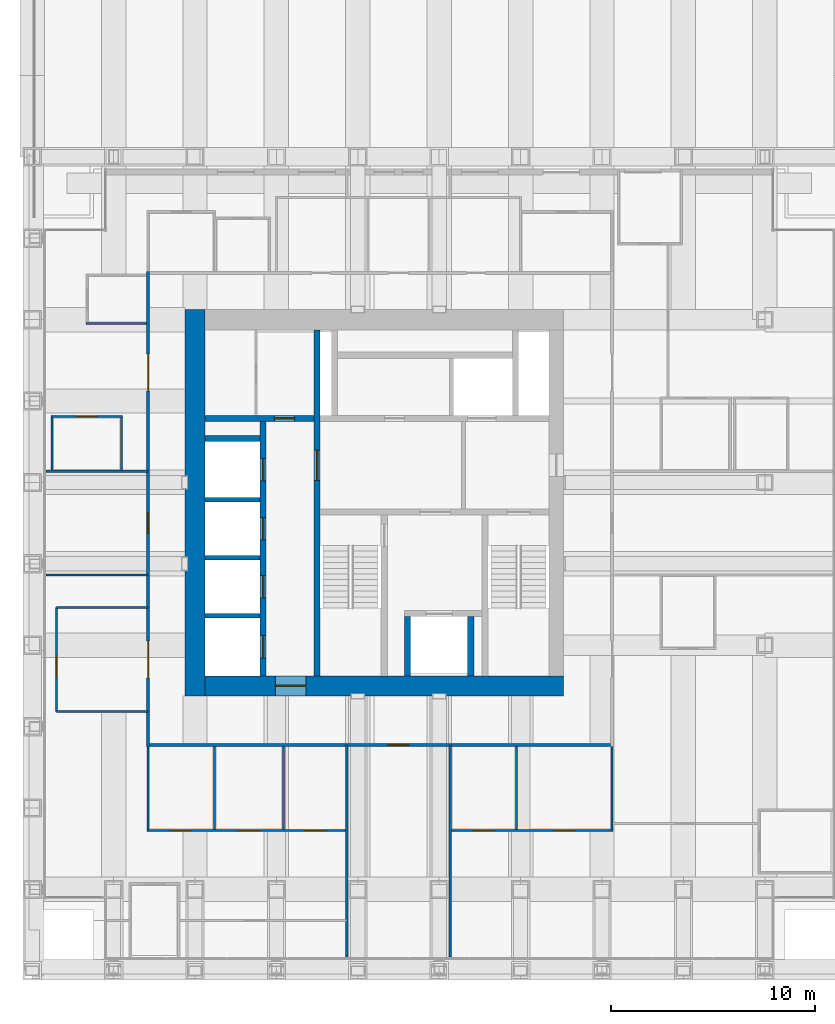
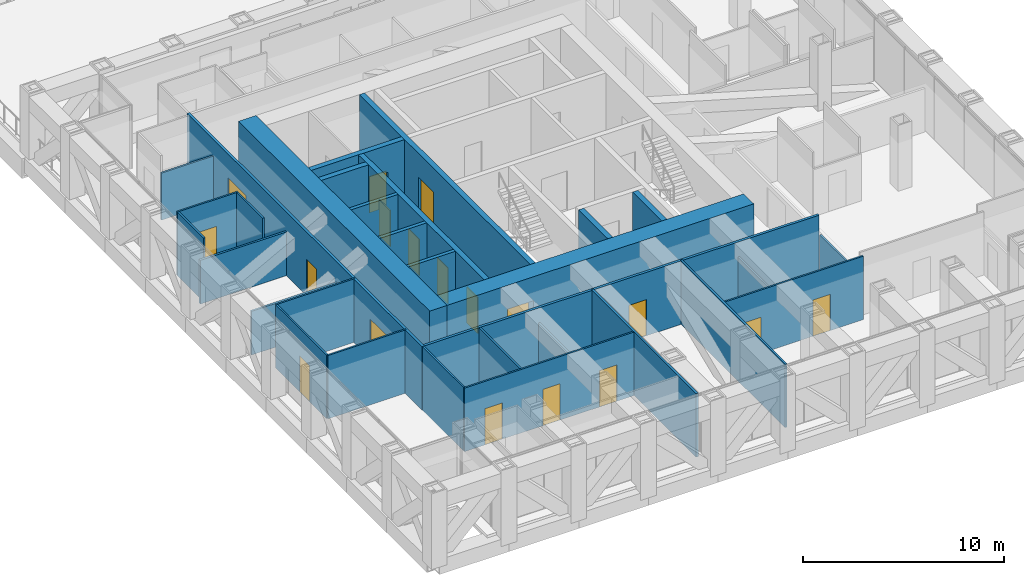
# One storey, part 11 of 17: 31 walls, 18 doors, 18 openings.
"""IFC4 building model written with IfcOpenShell, lengths in metres."""

from ifc_helpers import new_model, si_unit, direction, frame, frame_2d, origin, place, context, subcontext, project, spatial, rectangle, extrude, material, layer, layer_set, type_object, element, fill, save


model = new_model("IFC4")

# Units and contexts
model_context = context("Model", 3, precision=1e-05, world=origin(), true_north=direction((0.0, 1.0)))
body_context = subcontext(model_context, "Body", "Model", "MODEL_VIEW")
ifc_project = project(units=[si_unit("LENGTHUNIT", "METRE"), si_unit("AREAUNIT", "SQUARE_METRE"), si_unit("VOLUMEUNIT", "CUBIC_METRE"), si_unit("PLANEANGLEUNIT", "RADIAN"), si_unit("MASSUNIT", "GRAM", prefix="KILO")], contexts=[model_context])

# Site, building, storey
site_placement = place(None, origin())
site = spatial("IfcSite", under=ifc_project, at=site_placement, CompositionType="ELEMENT")
building_placement = place(site_placement, origin())
building = spatial("IfcBuilding", under=site, at=building_placement, Name="Rimbunsela Tower", CompositionType="ELEMENT")
storey_placement = place(building_placement, frame((0.0, 0.0, 238.199951171875)))
storey = spatial("IfcBuildingStorey", under=building, at=storey_placement, Name="L57", CompositionType="ELEMENT", Elevation=238.199951171875)

# Wall, opening, door
ifc_material_1 = material(Name="Concrete fc' 80 MPa", Category="concrete")
ifc_layer_1 = layer(ifc_material_1, 0.300048828125)
ifc_layer_set_1 = layer_set([ifc_layer_1], Name="Core internal wall 300")
wall_type_1 = type_object("IfcWallType", Name="Core internal wall 300", PredefinedType="SHEAR", material=ifc_layer_set_1)
wall_1_placement = place(storey_placement, frame((24.0, 18.5, -0.14990234375), z_axis=(0.0, 0.0, 1.0), x_axis=(0.0, 1.0, 0.0)))
wall_1 = element("IfcWall", 1, at=wall_1_placement, inside=storey, type_object=wall_type_1, Name="Core wall at stair A", PredefinedType="SHEAR", context=body_context, shape_type="SweptSolid", body=[
    extrude(rectangle(XDim=17.0, YDim=0.300048828125, at=frame_2d((8.5, 0.0))), origin(), (0.0, 0.0, 1.0), 4.0),
])
opening_1_placement = place(wall_1_placement, frame((9.60009765625, 0.0, 0.14990234375)))
opening_1 = element("IfcOpeningElement", 2, at=opening_1_placement, cuts=wall_1, Name="Opening D03", PredefinedType="OPENING", context=body_context, shape_type="SweptSolid", body=[
    extrude(rectangle(XDim=1.5, YDim=2.39990234375, at=frame_2d((0.75, 1.199951171875))), frame((0.0, 0.159912109375, 0.0), z_axis=(0.0, -1.0, 0.0), x_axis=(1.0, 0.0, 0.0)), (0.0, 0.0, 1.0), 0.320068359375),
])
ifc_material_2 = material(Name="Steel door, fire rated", Category="steel")
door_type_1 = type_object("IfcDoorType", Name="Core lobby door 1500", OperationType="DOUBLE_DOOR_DOUBLE_SWING", PredefinedType="DOOR", material=ifc_material_2)
door_1_placement = place(opening_1_placement, origin())
door_1 = element("IfcDoor", 3, at=door_1_placement, inside=storey, type_object=door_type_1, Name="West lobby door", OperationType="DOUBLE_DOOR_DOUBLE_SWING", OverallHeight=2.39990234375, OverallWidth=1.5, PredefinedType="DOOR", context=body_context, shape_type="SweptSolid", body=[
    extrude(rectangle(XDim=1.5, YDim=2.39990234375, at=frame_2d((0.75, 1.199951171875))), frame((0.0, 0.02490234375, 0.0), z_axis=(0.0, -1.0, 0.0), x_axis=(1.0, 0.0, 0.0)), (0.0, 0.0, 1.0), 0.050048828125),
])
fill(opening_1, door_1)

# Walls
for number, where, z_axis, x_axis, name in (
    (4, (28.449951171875, 18.5, -0.14990234375), (0.0, 0.0, 1.0), (0.0, 1.0, 0.0), "Firefighting lift shaft west"),
    (5, (31.550048828125, 18.5, -0.14990234375), (0.0, 0.0, 1.0), (0.0, 1.0, 0.0), "Firefighting lift shaft east"),
):
    element("IfcWall", number, at=place(storey_placement, frame(where, z_axis=z_axis, x_axis=x_axis)), inside=storey, type_object=wall_type_1, Name=name, PredefinedType="SHEAR", context=body_context, shape_type="SweptSolid", body=[
        extrude(rectangle(XDim=2.89990234375, YDim=0.300048828125, at=frame_2d((1.449951171875, 0.0))), origin(), (0.0, 0.0, 1.0), 4.0),
    ])

# Wall, openings, doors
wall_2_placement = place(storey_placement, frame((21.35009765625, 18.5, -0.14990234375), z_axis=(0.0, 0.0, 1.0), x_axis=(0.0, 1.0, 0.0)))
wall_2 = element("IfcWall", 6, at=wall_2_placement, inside=storey, type_object=wall_type_1, Name="Lift shaft front west", PredefinedType="SHEAR", context=body_context, shape_type="SweptSolid", body=[
    extrude(rectangle(XDim=12.5, YDim=0.300048828125, at=frame_2d((6.25, 0.0))), origin(), (0.0, 0.0, 1.0), 4.0),
])
opening_2_placement = place(wall_2_placement, frame((0.875, 0.0, 0.14990234375)))
opening_2 = element("IfcOpeningElement", 7, at=opening_2_placement, cuts=wall_2, Name="Opening LD1", PredefinedType="OPENING", context=body_context, shape_type="SweptSolid", body=[
    extrude(rectangle(XDim=1.10009765625, YDim=2.199951171875, at=frame_2d((0.550048828125, 1.10009765625))), frame((0.0, 0.159912109375, 0.0), z_axis=(0.0, -1.0, 0.0), x_axis=(1.0, 0.0, 0.0)), (0.0, 0.0, 1.0), 0.320068359375),
])
opening_3_placement = place(wall_2_placement, frame((3.824951171875, 0.0, 0.14990234375)))
opening_3 = element("IfcOpeningElement", 8, at=opening_3_placement, cuts=wall_2, Name="Opening LD1", PredefinedType="OPENING", context=body_context, shape_type="SweptSolid", body=[
    extrude(rectangle(XDim=1.10009765625, YDim=2.199951171875, at=frame_2d((0.550048828125, 1.10009765625))), frame((0.0, 0.159912109375, 0.0), z_axis=(0.0, -1.0, 0.0), x_axis=(1.0, 0.0, 0.0)), (0.0, 0.0, 1.0), 0.320068359375),
])
opening_4_placement = place(wall_2_placement, frame((6.675048828125, 0.0, 0.14990234375)))
opening_4 = element("IfcOpeningElement", 9, at=opening_4_placement, cuts=wall_2, Name="Opening LD1", PredefinedType="OPENING", context=body_context, shape_type="SweptSolid", body=[
    extrude(rectangle(XDim=1.10009765625, YDim=2.199951171875, at=frame_2d((0.550048828125, 1.10009765625))), frame((0.0, 0.159912109375, 0.0), z_axis=(0.0, -1.0, 0.0), x_axis=(1.0, 0.0, 0.0)), (0.0, 0.0, 1.0), 0.320068359375),
])
opening_5_placement = place(wall_2_placement, frame((9.574951171875, 0.0, 0.14990234375)))
opening_5 = element("IfcOpeningElement", 10, at=opening_5_placement, cuts=wall_2, Name="Opening LD1", PredefinedType="OPENING", context=body_context, shape_type="SweptSolid", body=[
    extrude(rectangle(XDim=1.10009765625, YDim=2.199951171875, at=frame_2d((0.550048828125, 1.10009765625))), frame((0.0, 0.159912109375, 0.0), z_axis=(0.0, -1.0, 0.0), x_axis=(1.0, 0.0, 0.0)), (0.0, 0.0, 1.0), 0.320068359375),
])
ifc_material_3 = material(Name="Steel door, fire rated", Category="steel")
door_type_2 = type_object("IfcDoorType", Name="Lift landing door 1100", OperationType="DOUBLE_DOOR_SLIDING", PredefinedType="DOOR", material=ifc_material_3)
door_2_placement = place(opening_2_placement, origin())
door_2 = element("IfcDoor", 11, at=door_2_placement, inside=storey, type_object=door_type_2, Name="Lift landing door TL1", OperationType="DOUBLE_DOOR_SLIDING", OverallHeight=2.199951171875, OverallWidth=1.10009765625, PredefinedType="DOOR", context=body_context, shape_type="SweptSolid", body=[
    extrude(rectangle(XDim=1.10009765625, YDim=2.199951171875, at=frame_2d((0.550048828125, 1.10009765625))), frame((0.0, 0.02490234375, 0.0), z_axis=(0.0, -1.0, 0.0), x_axis=(1.0, 0.0, 0.0)), (0.0, 0.0, 1.0), 0.050048828125),
])
fill(opening_2, door_2)
door_3_placement = place(opening_3_placement, origin())
door_3 = element("IfcDoor", 12, at=door_3_placement, inside=storey, type_object=door_type_2, Name="Lift landing door TL2", OperationType="DOUBLE_DOOR_SLIDING", OverallHeight=2.199951171875, OverallWidth=1.10009765625, PredefinedType="DOOR", context=body_context, shape_type="SweptSolid", body=[
    extrude(rectangle(XDim=1.10009765625, YDim=2.199951171875, at=frame_2d((0.550048828125, 1.10009765625))), frame((0.0, 0.02490234375, 0.0), z_axis=(0.0, -1.0, 0.0), x_axis=(1.0, 0.0, 0.0)), (0.0, 0.0, 1.0), 0.050048828125),
])
fill(opening_3, door_3)
door_4_placement = place(opening_4_placement, origin())
door_4 = element("IfcDoor", 13, at=door_4_placement, inside=storey, type_object=door_type_2, Name="Lift landing door TL3", OperationType="DOUBLE_DOOR_SLIDING", OverallHeight=2.199951171875, OverallWidth=1.10009765625, PredefinedType="DOOR", context=body_context, shape_type="SweptSolid", body=[
    extrude(rectangle(XDim=1.10009765625, YDim=2.199951171875, at=frame_2d((0.550048828125, 1.10009765625))), frame((0.0, 0.02490234375, 0.0), z_axis=(0.0, -1.0, 0.0), x_axis=(1.0, 0.0, 0.0)), (0.0, 0.0, 1.0), 0.050048828125),
])
fill(opening_4, door_4)
door_5_placement = place(opening_5_placement, origin())
door_5 = element("IfcDoor", 14, at=door_5_placement, inside=storey, type_object=door_type_2, Name="Lift landing door TL4", OperationType="DOUBLE_DOOR_SLIDING", OverallHeight=2.199951171875, OverallWidth=1.10009765625, PredefinedType="DOOR", context=body_context, shape_type="SweptSolid", body=[
    extrude(rectangle(XDim=1.10009765625, YDim=2.199951171875, at=frame_2d((0.550048828125, 1.10009765625))), frame((0.0, 0.02490234375, 0.0), z_axis=(0.0, -1.0, 0.0), x_axis=(1.0, 0.0, 0.0)), (0.0, 0.0, 1.0), 0.050048828125),
])
fill(opening_5, door_5)

# Wall, opening, door
wall_3_placement = place(storey_placement, frame((18.5, 31.14990234375, -0.14990234375), z_axis=(0.0, 0.0, 1.0), x_axis=(1.0, 0.0, 0.0)))
wall_3 = element("IfcWall", 15, at=wall_3_placement, inside=storey, type_object=wall_type_1, Name="Store wall", PredefinedType="SHEAR", context=body_context, shape_type="SweptSolid", body=[
    extrude(rectangle(XDim=5.35009765625, YDim=0.300048828125, at=frame_2d((2.675048828125, 0.0))), origin(), (0.0, 0.0, 1.0), 4.0),
])
opening_6_placement = place(wall_3_placement, frame((3.39990234375, 0.0, 0.14990234375)))
opening_6 = element("IfcOpeningElement", 16, at=opening_6_placement, cuts=wall_3, Name="Opening D19", PredefinedType="OPENING", context=body_context, shape_type="SweptSolid", body=[
    extrude(rectangle(XDim=1.0, YDim=2.199951171875, at=frame_2d((0.5, 1.10009765625))), frame((0.0, 0.159912109375, 0.0), z_axis=(0.0, -1.0, 0.0), x_axis=(1.0, 0.0, 0.0)), (0.0, 0.0, 1.0), 0.320068359375),
])
ifc_material_4 = material(Name="Steel door, fire rated", Category="steel")
door_type_3 = type_object("IfcDoorType", Name="Service door 1000 fire rated", OperationType="SINGLE_SWING_LEFT", PredefinedType="DOOR", material=ifc_material_4)
door_6_placement = place(opening_6_placement, origin())
door_6 = element("IfcDoor", 17, at=door_6_placement, inside=storey, type_object=door_type_3, Name="IT room door", OperationType="SINGLE_SWING_LEFT", OverallHeight=2.199951171875, OverallWidth=1.0, PredefinedType="DOOR", context=body_context, shape_type="SweptSolid", body=[
    extrude(rectangle(XDim=1.0, YDim=2.199951171875, at=frame_2d((0.5, 1.10009765625))), frame((0.0, 0.02490234375, 0.0), z_axis=(0.0, -1.0, 0.0), x_axis=(1.0, 0.0, 0.0)), (0.0, 0.0, 1.0), 0.050048828125),
])
fill(opening_6, door_6)

# Walls
wall_4_placement = place(storey_placement, frame((18.5, 30.14990234375, -0.14990234375), z_axis=(0.0, 0.0, 1.0), x_axis=(1.0, 0.0, 0.0)))
element("IfcWall", 18, at=wall_4_placement, inside=storey, type_object=wall_type_1, Name="Lift shaft rear west", PredefinedType="SHEAR", context=body_context, shape_type="SweptSolid", body=[
    extrude(rectangle(XDim=2.699951171875, YDim=0.300048828125, at=frame_2d((1.35009765625, 0.0))), origin(), (0.0, 0.0, 1.0), 4.0),
])
ifc_material_5 = material(Name="Concrete fc' 80 MPa", Category="concrete")
ifc_layer_2 = layer(ifc_material_5, 1.0)
ifc_layer_set_2 = layer_set([ifc_layer_2], Name="Core wall 1000")
wall_type_2 = type_object("IfcWallType", Name="Core wall 1000", PredefinedType="SHEAR", material=ifc_layer_set_2)
wall_5_placement = place(storey_placement, frame((18.0, 17.5, -0.14990234375), z_axis=(0.0, 0.0, 1.0), x_axis=(0.0, 1.0, 0.0)))
element("IfcWall", 19, at=wall_5_placement, inside=storey, type_object=wall_type_2, Name="Core wall west", PredefinedType="SHEAR", context=body_context, shape_type="SweptSolid", body=[
    extrude(rectangle(XDim=19.0, YDim=1.0, at=frame_2d((9.5, 0.0))), origin(), (0.0, 0.0, 1.0), 4.0),
])

# Wall, opening, door
wall_6_placement = place(storey_placement, frame((18.5, 18.0, -0.14990234375), z_axis=(0.0, 0.0, 1.0), x_axis=(1.0, 0.0, 0.0)))
wall_6 = element("IfcWall", 20, at=wall_6_placement, inside=storey, type_object=wall_type_2, Name="Core wall south", PredefinedType="SHEAR", context=body_context, shape_type="SweptSolid", body=[
    extrude(rectangle(XDim=17.60009765625, YDim=1.0, at=frame_2d((8.800048828125, 0.0))), origin(), (0.0, 0.0, 1.0), 4.0),
])
opening_7_placement = place(wall_6_placement, frame((3.449951171875, 0.0, 0.14990234375)))
opening_7 = element("IfcOpeningElement", 21, at=opening_7_placement, cuts=wall_6, Name="Opening D03", PredefinedType="OPENING", context=body_context, shape_type="SweptSolid", body=[
    extrude(rectangle(XDim=1.5, YDim=2.39990234375, at=frame_2d((0.75, 1.199951171875))), frame((0.0, 0.510009765625, 0.0), z_axis=(0.0, -1.0, 0.0), x_axis=(1.0, 0.0, 0.0)), (0.0, 0.0, 1.0), 1.02001953125),
])
door_7_placement = place(opening_7_placement, origin())
door_7 = element("IfcDoor", 22, at=door_7_placement, inside=storey, type_object=door_type_1, Name="Core door south", OperationType="DOUBLE_DOOR_DOUBLE_SWING", OverallHeight=2.39990234375, OverallWidth=1.5, PredefinedType="DOOR", context=body_context, shape_type="SweptSolid", body=[
    extrude(rectangle(XDim=1.5, YDim=2.39990234375, at=frame_2d((0.75, 1.199951171875))), frame((0.0, 0.02490234375, 0.0), z_axis=(0.0, -1.0, 0.0), x_axis=(1.0, 0.0, 0.0)), (0.0, 0.0, 1.0), 0.050048828125),
])
fill(opening_7, door_7)

# Walls
ifc_material_6 = material(Name="Concrete blockwork", Category="masonry")
ifc_layer_3 = layer(ifc_material_6, 0.199951171875)
ifc_layer_set_3 = layer_set([ifc_layer_3], Name="Lift shaft wall 200")
wall_type_3 = type_object("IfcWallType", Name="Lift shaft wall 200", PredefinedType="SOLIDWALL", material=ifc_layer_set_3)
for number, where, z_axis, x_axis, name in (
    (23, (18.5, 21.449951171875, -0.14990234375), (0.0, 0.0, 1.0), (1.0, 0.0, 0.0), "Lift shaft separation"),
    (24, (18.5, 24.300048828125, -0.14990234375), (0.0, 0.0, 1.0), (1.0, 0.0, 0.0), "Lift shaft separation"),
    (25, (18.5, 27.14990234375, -0.14990234375), (0.0, 0.0, 1.0), (1.0, 0.0, 0.0), "Lift shaft separation"),
):
    element("IfcWall", number, at=place(storey_placement, frame(where, z_axis=z_axis, x_axis=x_axis)), inside=storey, type_object=wall_type_3, Name=name, PredefinedType="SOLIDWALL", context=body_context, shape_type="SweptSolid", body=[
        extrude(rectangle(XDim=2.699951171875, YDim=0.199951171875, at=frame_2d((1.35009765625, 0.0))), origin(), (0.0, 0.0, 1.0), 4.0),
    ])

# Wall, openings, doors
ifc_material_7 = material(Name="Gypsum board on steel studs", Category="steel")
ifc_layer_4 = layer(ifc_material_7, 0.10009765625)
ifc_layer_set_4 = layer_set([ifc_layer_4], Name="Office partition 100")
wall_type_4 = type_object("IfcWallType", Name="Office partition 100", PredefinedType="PARTITIONING", material=ifc_layer_set_4)
wall_7_placement = place(storey_placement, frame((15.64990234375, 10.89990234375, 0.0), z_axis=(0.0, 0.0, 1.0), x_axis=(1.0, 0.0, 0.0)))
wall_7 = element("IfcWall", 26, at=wall_7_placement, inside=storey, type_object=wall_type_4, Name="Office partition", PredefinedType="PARTITIONING", context=body_context, shape_type="SweptSolid", body=[
    extrude(rectangle(XDim=9.739013671875, YDim=0.10009765625, at=frame_2d((4.86962890625, 0.0))), origin(), (0.0, 0.0, 1.0), 3.85009765625),
])
opening_8_placement = place(wall_7_placement, frame((1.175048828125, 0.0, 0.0)))
opening_8 = element("IfcOpeningElement", 27, at=opening_8_placement, cuts=wall_7, Name="Opening D16", PredefinedType="OPENING", context=body_context, shape_type="SweptSolid", body=[
    extrude(rectangle(XDim=1.0, YDim=2.199951171875, at=frame_2d((0.5, 1.10009765625))), frame((0.0, 0.06005859375, 0.0), z_axis=(0.0, -1.0, 0.0), x_axis=(1.0, 0.0, 0.0)), (0.0, 0.0, 1.0), 0.1201171875),
])
opening_9_placement = place(wall_7_placement, frame((4.5, 0.0, 0.0)))
opening_9 = element("IfcOpeningElement", 28, at=opening_9_placement, cuts=wall_7, Name="Opening D16", PredefinedType="OPENING", context=body_context, shape_type="SweptSolid", body=[
    extrude(rectangle(XDim=1.0, YDim=2.199951171875, at=frame_2d((0.5, 1.10009765625))), frame((0.0, 0.06005859375, 0.0), z_axis=(0.0, -1.0, 0.0), x_axis=(1.0, 0.0, 0.0)), (0.0, 0.0, 1.0), 0.1201171875),
])
opening_10_placement = place(wall_7_placement, frame((7.74951171875, 0.0, 0.0)))
opening_10 = element("IfcOpeningElement", 29, at=opening_10_placement, cuts=wall_7, Name="Opening D16", PredefinedType="OPENING", context=body_context, shape_type="SweptSolid", body=[
    extrude(rectangle(XDim=1.0, YDim=2.199951171875, at=frame_2d((0.5, 1.10009765625))), frame((0.0, 0.06005859375, 0.0), z_axis=(0.0, -1.0, 0.0), x_axis=(1.0, 0.0, 0.0)), (0.0, 0.0, 1.0), 0.1201171875),
])
ifc_material_8 = material(Name="Timber door", Category="wood")
door_type_4 = type_object("IfcDoorType", Name="Office door 1000", OperationType="SINGLE_SWING_LEFT", PredefinedType="DOOR", material=ifc_material_8)
door_8_placement = place(opening_8_placement, origin())
door_8 = element("IfcDoor", 30, at=door_8_placement, inside=storey, type_object=door_type_4, Name="Office door", OperationType="SINGLE_SWING_LEFT", OverallHeight=2.199951171875, OverallWidth=1.0, PredefinedType="DOOR", context=body_context, shape_type="SweptSolid", body=[
    extrude(rectangle(XDim=1.0, YDim=2.199951171875, at=frame_2d((0.5, 1.10009765625))), frame((0.0, 0.02490234375, 0.0), z_axis=(0.0, -1.0, 0.0), x_axis=(1.0, 0.0, 0.0)), (0.0, 0.0, 1.0), 0.050048828125),
])
fill(opening_8, door_8)
door_9_placement = place(opening_9_placement, origin())
door_9 = element("IfcDoor", 31, at=door_9_placement, inside=storey, type_object=door_type_4, Name="Office door", OperationType="SINGLE_SWING_LEFT", OverallHeight=2.199951171875, OverallWidth=1.0, PredefinedType="DOOR", context=body_context, shape_type="SweptSolid", body=[
    extrude(rectangle(XDim=1.0, YDim=2.199951171875, at=frame_2d((0.5, 1.10009765625))), frame((0.0, 0.02490234375, 0.0), z_axis=(0.0, -1.0, 0.0), x_axis=(1.0, 0.0, 0.0)), (0.0, 0.0, 1.0), 0.050048828125),
])
fill(opening_9, door_9)
door_10_placement = place(opening_10_placement, origin())
door_10 = element("IfcDoor", 32, at=door_10_placement, inside=storey, type_object=door_type_4, Name="Office door", OperationType="SINGLE_SWING_LEFT", OverallHeight=2.199951171875, OverallWidth=1.0, PredefinedType="DOOR", context=body_context, shape_type="SweptSolid", body=[
    extrude(rectangle(XDim=1.0, YDim=2.199951171875, at=frame_2d((0.5, 1.10009765625))), frame((0.0, 0.02490234375, 0.0), z_axis=(0.0, -1.0, 0.0), x_axis=(1.0, 0.0, 0.0)), (0.0, 0.0, 1.0), 0.050048828125),
])
fill(opening_10, door_10)

wall_8_placement = place(storey_placement, frame((30.611083984375, 10.89990234375, 0.0), z_axis=(0.0, 0.0, 1.0), x_axis=(1.0, 0.0, 0.0)))
wall_8 = element("IfcWall", 33, at=wall_8_placement, inside=storey, type_object=wall_type_4, Name="Office partition", PredefinedType="PARTITIONING", context=body_context, shape_type="SweptSolid", body=[
    extrude(rectangle(XDim=7.93896484375, YDim=0.10009765625, at=frame_2d((3.969482421875, 0.0))), origin(), (0.0, 0.0, 1.0), 3.85009765625),
])
opening_11_placement = place(wall_8_placement, frame((1.06494140625, 0.0, 0.0)))
opening_11 = element("IfcOpeningElement", 34, at=opening_11_placement, cuts=wall_8, Name="Opening D16", PredefinedType="OPENING", context=body_context, shape_type="SweptSolid", body=[
    extrude(rectangle(XDim=1.0, YDim=2.199951171875, at=frame_2d((0.5, 1.10009765625))), frame((0.0, 0.06005859375, 0.0), z_axis=(0.0, -1.0, 0.0), x_axis=(1.0, 0.0, 0.0)), (0.0, 0.0, 1.0), 0.1201171875),
])
opening_12_placement = place(wall_8_placement, frame((5.03955078125, 0.0, 0.0)))
opening_12 = element("IfcOpeningElement", 35, at=opening_12_placement, cuts=wall_8, Name="Opening D16", PredefinedType="OPENING", context=body_context, shape_type="SweptSolid", body=[
    extrude(rectangle(XDim=1.0, YDim=2.199951171875, at=frame_2d((0.5, 1.10009765625))), frame((0.0, 0.06005859375, 0.0), z_axis=(0.0, -1.0, 0.0), x_axis=(1.0, 0.0, 0.0)), (0.0, 0.0, 1.0), 0.1201171875),
])
door_11_placement = place(opening_11_placement, origin())
door_11 = element("IfcDoor", 36, at=door_11_placement, inside=storey, type_object=door_type_4, Name="Office door", OperationType="SINGLE_SWING_LEFT", OverallHeight=2.199951171875, OverallWidth=1.0, PredefinedType="DOOR", context=body_context, shape_type="SweptSolid", body=[
    extrude(rectangle(XDim=1.0, YDim=2.199951171875, at=frame_2d((0.5, 1.10009765625))), frame((0.0, 0.02490234375, 0.0), z_axis=(0.0, -1.0, 0.0), x_axis=(1.0, 0.0, 0.0)), (0.0, 0.0, 1.0), 0.050048828125),
])
fill(opening_11, door_11)
door_12_placement = place(opening_12_placement, origin())
door_12 = element("IfcDoor", 37, at=door_12_placement, inside=storey, type_object=door_type_4, Name="Office door", OperationType="SINGLE_SWING_LEFT", OverallHeight=2.199951171875, OverallWidth=1.0, PredefinedType="DOOR", context=body_context, shape_type="SweptSolid", body=[
    extrude(rectangle(XDim=1.0, YDim=2.199951171875, at=frame_2d((0.5, 1.10009765625))), frame((0.0, 0.02490234375, 0.0), z_axis=(0.0, -1.0, 0.0), x_axis=(1.0, 0.0, 0.0)), (0.0, 0.0, 1.0), 0.050048828125),
])
fill(opening_12, door_12)

# Wall, opening, door
wall_9_placement = place(storey_placement, frame((10.929931640625, 31.25, 0.0), z_axis=(0.0, 0.0, 1.0), x_axis=(1.0, 0.0, 0.0)))
wall_9 = element("IfcWall", 38, at=wall_9_placement, inside=storey, type_object=wall_type_4, Name="Office partition", PredefinedType="PARTITIONING", context=body_context, shape_type="SweptSolid", body=[
    extrude(rectangle(XDim=3.5, YDim=0.10009765625, at=frame_2d((1.75, 0.0))), origin(), (0.0, 0.0, 1.0), 3.85009765625),
])
opening_13_placement = place(wall_9_placement, frame((1.25, 0.0, 0.0)))
opening_13 = element("IfcOpeningElement", 39, at=opening_13_placement, cuts=wall_9, Name="Opening D16", PredefinedType="OPENING", context=body_context, shape_type="SweptSolid", body=[
    extrude(rectangle(XDim=1.0, YDim=2.199951171875, at=frame_2d((0.5, 1.10009765625))), frame((0.0, 0.06005859375, 0.0), z_axis=(0.0, -1.0, 0.0), x_axis=(1.0, 0.0, 0.0)), (0.0, 0.0, 1.0), 0.1201171875),
])
door_13_placement = place(opening_13_placement, origin())
door_13 = element("IfcDoor", 40, at=door_13_placement, inside=storey, type_object=door_type_4, Name="Office door", OperationType="SINGLE_SWING_LEFT", OverallHeight=2.199951171875, OverallWidth=1.0, PredefinedType="DOOR", context=body_context, shape_type="SweptSolid", body=[
    extrude(rectangle(XDim=1.0, YDim=2.199951171875, at=frame_2d((0.5, 1.10009765625))), frame((0.0, 0.02490234375, 0.0), z_axis=(0.0, -1.0, 0.0), x_axis=(1.0, 0.0, 0.0)), (0.0, 0.0, 1.0), 0.050048828125),
])
fill(opening_13, door_13)

# Walls
wall_10_placement = place(storey_placement, frame((12.64990234375, 35.800048828125, 0.0), z_axis=(0.0, 0.0, 1.0), x_axis=(1.0, 0.0, 0.0)))
element("IfcWall", 41, at=wall_10_placement, inside=storey, type_object=wall_type_4, Name="Office partition", PredefinedType="PARTITIONING", context=body_context, shape_type="SweptSolid", body=[
    extrude(rectangle(XDim=2.97509765625, YDim=0.10009765625, at=frame_2d((1.487548828125, 0.0))), origin(), (0.0, 0.0, 1.0), 2.85009765625),
])
for number, where, z_axis, x_axis, name in (
    (42, (10.97998046875, 28.610107421875, 0.0), (0.0, 0.0, 1.0), (0.0, 1.0, 0.0), "Office partition"),
    (43, (14.3798828125, 28.610107421875, 0.0), (0.0, 0.0, 1.0), (0.0, 1.0, 0.0), "Office partition"),
):
    element("IfcWall", number, at=place(storey_placement, frame(where, z_axis=z_axis, x_axis=x_axis)), inside=storey, type_object=wall_type_4, Name=name, PredefinedType="PARTITIONING", context=body_context, shape_type="SweptSolid", body=[
        extrude(rectangle(XDim=2.58984375, YDim=0.10009765625, at=frame_2d((1.294921875, 0.0))), origin(), (0.0, 0.0, 1.0), 3.85009765625),
    ])
for number, where, z_axis, x_axis, name in (
    (44, (15.699951171875, 10.949951171875, 0.0), (0.0, 0.0, 1.0), (0.0, 1.0, 0.0), "Office partition"),
    (45, (18.949951171875, 10.949951171875, 0.0), (0.0, 0.0, 1.0), (0.0, 1.0, 0.0), "Office partition"),
):
    element("IfcWall", number, at=place(storey_placement, frame(where, z_axis=z_axis, x_axis=x_axis)), inside=storey, type_object=wall_type_4, Name=name, PredefinedType="PARTITIONING", context=body_context, shape_type="SweptSolid", body=[
        extrude(rectangle(XDim=4.074951171875, YDim=0.10009765625, at=frame_2d((2.03759765625, 0.0))), origin(), (0.0, 0.0, 1.0), 3.85009765625),
    ])
for number, where, z_axis, x_axis, name in (
    (46, (22.35009765625, 10.949951171875, 0.0), (0.0, 0.0, 1.0), (0.0, 1.0, 0.0), "Office partition"),
    (47, (33.801025390625, 10.949951171875, 0.0), (0.0, 0.0, 1.0), (0.0, 1.0, 0.0), "Office partition"),
):
    element("IfcWall", number, at=place(storey_placement, frame(where, z_axis=z_axis, x_axis=x_axis)), inside=storey, type_object=wall_type_4, Name=name, PredefinedType="PARTITIONING", context=body_context, shape_type="SweptSolid", body=[
        extrude(rectangle(XDim=4.074951171875, YDim=0.10009765625, at=frame_2d((2.03759765625, 0.0))), origin(), (0.0, 0.0, 1.0), 2.949951171875),
    ])
wall_11_placement = place(storey_placement, frame((38.5, 10.949951171875, 0.0), z_axis=(0.0, 0.0, 1.0), x_axis=(0.0, 1.0, 0.0)))
element("IfcWall", 48, at=wall_11_placement, inside=storey, type_object=wall_type_4, Name="Office partition", PredefinedType="PARTITIONING", context=body_context, shape_type="SweptSolid", body=[
    extrude(rectangle(XDim=4.074951171875, YDim=0.10009765625, at=frame_2d((2.03759765625, 0.0))), origin(), (0.0, 0.0, 1.0), 2.650146484375),
])
wall_12_placement = place(storey_placement, frame((15.699951171875, 21.84912109375, 0.0), z_axis=(0.0, 0.0, 1.0), x_axis=(-1.0, 0.0, 0.0)))
element("IfcWall", 49, at=wall_12_placement, inside=storey, type_object=wall_type_4, Name="Office partition", PredefinedType="PARTITIONING", context=body_context, shape_type="SweptSolid", body=[
    extrude(rectangle(XDim=4.5, YDim=0.10009765625, at=frame_2d((2.25, 0.0))), origin(), (0.0, 0.0, 1.0), 3.85009765625),
])

# Wall, opening, door
wall_13_placement = place(storey_placement, frame((11.199951171875, 21.84912109375, 0.0), z_axis=(0.0, 0.0, 1.0), x_axis=(0.0, -1.0, 0.0)))
wall_13 = element("IfcWall", 50, at=wall_13_placement, inside=storey, type_object=wall_type_4, Name="Office partition", PredefinedType="PARTITIONING", context=body_context, shape_type="SweptSolid", body=[
    extrude(rectangle(XDim=5.10009765625, YDim=0.10009765625, at=frame_2d((2.550048828125, 0.0))), origin(), (0.0, 0.0, 1.0), 3.85009765625),
])
opening_14_placement = place(wall_13_placement, frame((2.39990234375, 0.0, 0.0)))
opening_14 = element("IfcOpeningElement", 51, at=opening_14_placement, cuts=wall_13, Name="Opening D17", PredefinedType="OPENING", context=body_context, shape_type="SweptSolid", body=[
    extrude(rectangle(XDim=1.0, YDim=2.199951171875, at=frame_2d((0.5, 1.10009765625))), frame((0.0, 0.06005859375, 0.0), z_axis=(0.0, -1.0, 0.0), x_axis=(1.0, 0.0, 0.0)), (0.0, 0.0, 1.0), 0.1201171875),
])
ifc_material_9 = material(Name="Glazed aluminium door", Category="aluminium")
door_type_5 = type_object("IfcDoorType", Name="Meeting room door 1000 glazed", OperationType="SINGLE_SWING_RIGHT", PredefinedType="DOOR", material=ifc_material_9)
door_14_placement = place(opening_14_placement, origin())
door_14 = element("IfcDoor", 52, at=door_14_placement, inside=storey, type_object=door_type_5, Name="Reception door", OperationType="SINGLE_SWING_RIGHT", OverallHeight=2.199951171875, OverallWidth=1.0, PredefinedType="DOOR", context=body_context, shape_type="SweptSolid", body=[
    extrude(rectangle(XDim=1.0, YDim=2.199951171875, at=frame_2d((0.5, 1.10009765625))), frame((0.0, 0.02490234375, 0.0), z_axis=(0.0, -1.0, 0.0), x_axis=(1.0, 0.0, 0.0)), (0.0, 0.0, 1.0), 0.050048828125),
])
fill(opening_14, door_14)

# Wall
wall_14_placement = place(storey_placement, frame((11.199951171875, 16.7490234375, 0.0), z_axis=(0.0, 0.0, 1.0), x_axis=(1.0, 0.0, 0.0)))
element("IfcWall", 53, at=wall_14_placement, inside=storey, type_object=wall_type_4, Name="Office partition", PredefinedType="PARTITIONING", context=body_context, shape_type="SweptSolid", body=[
    extrude(rectangle(XDim=4.5, YDim=0.10009765625, at=frame_2d((2.25, 0.0))), origin(), (0.0, 0.0, 1.0), 3.85009765625),
])

# Wall, openings, doors
ifc_material_10 = material(Name="Fire-rated gypsum board on steel studs, EI 60", Category="steel")
ifc_layer_5 = layer(ifc_material_10, 0.14990234375)
ifc_layer_set_5 = layer_set([ifc_layer_5], Name="Rated corridor wall 150")
wall_type_5 = type_object("IfcWallType", Name="Rated corridor wall 150", PredefinedType="PARTITIONING", material=ifc_layer_set_5)
wall_15_placement = place(storey_placement, frame((15.699951171875, 15.02490234375, 0.0), z_axis=(0.0, 0.0, 1.0), x_axis=(0.0, 1.0, 0.0)))
wall_15 = element("IfcWall", 54, at=wall_15_placement, inside=storey, type_object=wall_type_5, Name="Corridor wall west", PredefinedType="PARTITIONING", context=body_context, shape_type="SweptSolid", body=[
    extrude(rectangle(XDim=23.35009765625, YDim=0.14990234375, at=frame_2d((11.675048828125, 0.0))), origin(), (0.0, 0.0, 1.0), 3.85009765625),
])
opening_15_placement = place(wall_15_placement, frame((3.3740234375, 0.0, 0.0)))
opening_15 = element("IfcOpeningElement", 55, at=opening_15_placement, cuts=wall_15, Name="Opening D09", PredefinedType="OPENING", context=body_context, shape_type="SweptSolid", body=[
    extrude(rectangle(XDim=1.800048828125, YDim=2.39990234375, at=frame_2d((0.89990234375, 1.199951171875))), frame((0.0, 0.0849609375, 0.0), z_axis=(0.0, -1.0, 0.0), x_axis=(1.0, 0.0, 0.0)), (0.0, 0.0, 1.0), 0.169921875),
])
opening_16_placement = place(wall_15_placement, frame((17.47607421875, 0.0, 0.0)))
opening_16 = element("IfcOpeningElement", 56, at=opening_16_placement, cuts=wall_15, Name="Opening D09", PredefinedType="OPENING", context=body_context, shape_type="SweptSolid", body=[
    extrude(rectangle(XDim=1.800048828125, YDim=2.39990234375, at=frame_2d((0.89990234375, 1.199951171875))), frame((0.0, 0.0849609375, 0.0), z_axis=(0.0, -1.0, 0.0), x_axis=(1.0, 0.0, 0.0)), (0.0, 0.0, 1.0), 0.169921875),
])
opening_17_placement = place(wall_15_placement, frame((10.47509765625, 0.0, 0.0)))
opening_17 = element("IfcOpeningElement", 57, at=opening_17_placement, cuts=wall_15, Name="Opening D19", PredefinedType="OPENING", context=body_context, shape_type="SweptSolid", body=[
    extrude(rectangle(XDim=1.0, YDim=2.199951171875, at=frame_2d((0.5, 1.10009765625))), frame((0.0, 0.0849609375, 0.0), z_axis=(0.0, -1.0, 0.0), x_axis=(1.0, 0.0, 0.0)), (0.0, 0.0, 1.0), 0.169921875),
])
door_15_placement = place(opening_17_placement, origin())
door_15 = element("IfcDoor", 58, at=door_15_placement, inside=storey, type_object=door_type_3, Name="Service chase access door", OperationType="SINGLE_SWING_LEFT", OverallHeight=2.199951171875, OverallWidth=1.0, PredefinedType="DOOR", context=body_context, shape_type="SweptSolid", body=[
    extrude(rectangle(XDim=1.0, YDim=2.199951171875, at=frame_2d((0.5, 1.10009765625))), frame((0.0, 0.02490234375, 0.0), z_axis=(0.0, -1.0, 0.0), x_axis=(1.0, 0.0, 0.0)), (0.0, 0.0, 1.0), 0.050048828125),
])
fill(opening_17, door_15)
ifc_material_11 = material(Name="Glazed aluminium door, fire rated", Category="aluminium")
door_type_6 = type_object("IfcDoorType", Name="Tenancy door 1800 glazed", OperationType="DOUBLE_DOOR_DOUBLE_SWING", PredefinedType="DOOR", material=ifc_material_11)
door_16_placement = place(opening_15_placement, origin())
door_16 = element("IfcDoor", 59, at=door_16_placement, inside=storey, type_object=door_type_6, Name="Tenancy door", OperationType="DOUBLE_DOOR_DOUBLE_SWING", OverallHeight=2.39990234375, OverallWidth=1.800048828125, PredefinedType="DOOR", context=body_context, shape_type="SweptSolid", body=[
    extrude(rectangle(XDim=1.800048828125, YDim=2.39990234375, at=frame_2d((0.89990234375, 1.199951171875))), frame((0.0, 0.02490234375, 0.0), z_axis=(0.0, -1.0, 0.0), x_axis=(1.0, 0.0, 0.0)), (0.0, 0.0, 1.0), 0.050048828125),
])
fill(opening_15, door_16)
door_17_placement = place(opening_16_placement, origin())
door_17 = element("IfcDoor", 60, at=door_17_placement, inside=storey, type_object=door_type_6, Name="Tenancy door", OperationType="DOUBLE_DOOR_DOUBLE_SWING", OverallHeight=2.39990234375, OverallWidth=1.800048828125, PredefinedType="DOOR", context=body_context, shape_type="SweptSolid", body=[
    extrude(rectangle(XDim=1.800048828125, YDim=2.39990234375, at=frame_2d((0.89990234375, 1.199951171875))), frame((0.0, 0.02490234375, 0.0), z_axis=(0.0, -1.0, 0.0), x_axis=(1.0, 0.0, 0.0)), (0.0, 0.0, 1.0), 0.050048828125),
])
fill(opening_16, door_17)

# Wall, opening, door
wall_16_placement = place(storey_placement, frame((15.77490234375, 15.10009765625, 0.0), z_axis=(0.0, 0.0, 1.0), x_axis=(1.0, 0.0, 0.0)))
wall_16 = element("IfcWall", 61, at=wall_16_placement, inside=storey, type_object=wall_type_5, Name="Corridor wall south", PredefinedType="PARTITIONING", context=body_context, shape_type="SweptSolid", body=[
    extrude(rectangle(XDim=22.650146484375, YDim=0.14990234375, at=frame_2d((11.3251953125, 0.0))), origin(), (0.0, 0.0, 1.0), 3.85009765625),
])
opening_18_placement = place(wall_16_placement, frame((11.72509765625, 0.0, 0.0)))
opening_18 = element("IfcOpeningElement", 62, at=opening_18_placement, cuts=wall_16, Name="Opening D19", PredefinedType="OPENING", context=body_context, shape_type="SweptSolid", body=[
    extrude(rectangle(XDim=1.0, YDim=2.199951171875, at=frame_2d((0.5, 1.10009765625))), frame((0.0, 0.0849609375, 0.0), z_axis=(0.0, -1.0, 0.0), x_axis=(1.0, 0.0, 0.0)), (0.0, 0.0, 1.0), 0.169921875),
])
door_18_placement = place(opening_18_placement, origin())
door_18 = element("IfcDoor", 63, at=door_18_placement, inside=storey, type_object=door_type_3, Name="Service chase access door", OperationType="SINGLE_SWING_LEFT", OverallHeight=2.199951171875, OverallWidth=1.0, PredefinedType="DOOR", context=body_context, shape_type="SweptSolid", body=[
    extrude(rectangle(XDim=1.0, YDim=2.199951171875, at=frame_2d((0.5, 1.10009765625))), frame((0.0, 0.02490234375, 0.0), z_axis=(0.0, -1.0, 0.0), x_axis=(1.0, 0.0, 0.0)), (0.0, 0.0, 1.0), 0.050048828125),
])
fill(opening_18, door_18)

# Walls
ifc_material_12 = material(Name="Gypsum board on steel studs", Category="steel")
ifc_layer_6 = layer(ifc_material_12, 0.1201171875)
ifc_layer_set_6 = layer_set([ifc_layer_6], Name="Tenancy partition 120")
wall_type_6 = type_object("IfcWallType", Name="Tenancy partition 120", PredefinedType="PARTITIONING", material=ifc_layer_set_6)
for number, where, z_axis, x_axis, name in (
    (64, (25.449951171875, 4.679931640625, 0.0), (0.0, 0.0, 1.0), (0.0, 1.0, 0.0), "Tenancy partition"),
    (65, (30.550048828125, 4.679931640625, 0.0), (0.0, 0.0, 1.0), (0.0, 1.0, 0.0), "Tenancy partition"),
):
    element("IfcWall", number, at=place(storey_placement, frame(where, z_axis=z_axis, x_axis=x_axis)), inside=storey, type_object=wall_type_6, Name=name, PredefinedType="PARTITIONING", context=body_context, shape_type="SweptSolid", body=[
        extrude(rectangle(XDim=10.420166015625, YDim=0.1201171875, at=frame_2d((5.2099609375, 0.0))), origin(), (0.0, 0.0, 1.0), 3.85009765625),
    ])
for number, where, z_axis, x_axis, name in (
    (66, (10.679931640625, 23.449951171875, 0.0), (0.0, 0.0, 1.0), (1.0, 0.0, 0.0), "Tenancy partition"),
    (67, (10.679931640625, 28.550048828125, 0.0), (0.0, 0.0, 1.0), (1.0, 0.0, 0.0), "Tenancy partition"),
):
    element("IfcWall", number, at=place(storey_placement, frame(where, z_axis=z_axis, x_axis=x_axis)), inside=storey, type_object=wall_type_6, Name=name, PredefinedType="PARTITIONING", context=body_context, shape_type="SweptSolid", body=[
        extrude(rectangle(XDim=5.02001953125, YDim=0.1201171875, at=frame_2d((2.510009765625, 0.0))), origin(), (0.0, 0.0, 1.0), 2.650146484375),
    ])

save(model, "model.ifc")
